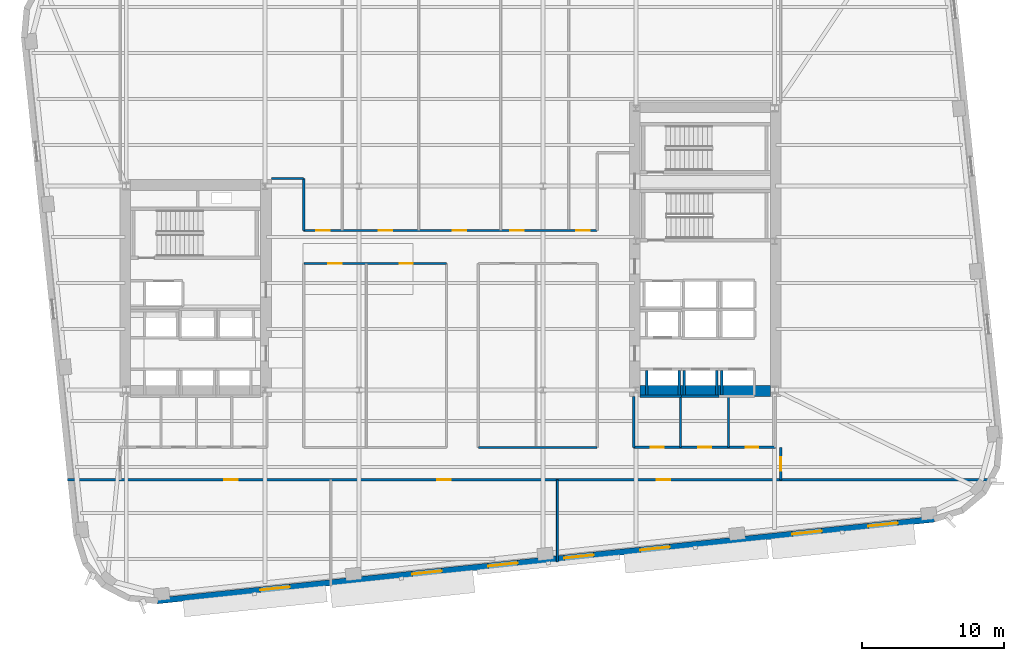
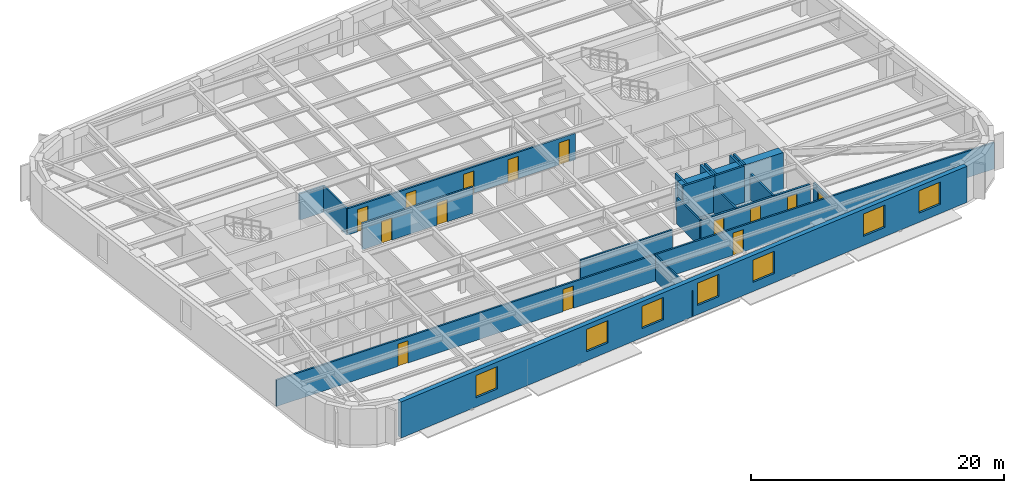
# One storey, part 5 of 15: 21 walls, 14 doors, 7 windows, 21 openings.
"""IFC4 building model written with IfcOpenShell, lengths in metres."""

import ifcopenshell
import ifcopenshell.guid

model = None  # the IFC model being written
_history = None  # IfcOwnerHistory: only IFC2X3 demands one
_inside = {}  # id of a spatial element -> (the spatial element, [elements in it])
_under = {}  # id of a project, library or spatial element -> (it, [spatial elements below it])
_declared = {}  # id of a project -> (the project, [libraries it declares])
_typed = {}  # id of a type object -> (the type object, [elements of that type])
_made_of = {}  # id of a material, layer set ... -> (it, [elements and type objects made of it])


def new_model(schema):
    """Start an empty IFC model of exactly this schema.

    Asked for "IFC4X3", IfcOpenShell would pick the latest addendum, in which some entities
    have other attributes; the version numbers below select the first issue.
    IFC2X3 requires an IfcOwnerHistory on every rooted entity: one is made here for all.
    """
    global model, _history
    if schema == "IFC4X3":
        model = ifcopenshell.file(schema_version=(4, 3, 0, 0))
    else:
        model = ifcopenshell.file(schema=schema)
    _inside.clear()
    _under.clear()
    _declared.clear()
    _typed.clear()
    _made_of.clear()
    _history = None
    if model.schema == "IFC2X3":
        org = make("IfcOrganization", Name="unknown")
        user = make(
            "IfcPersonAndOrganization",
            ThePerson=make("IfcPerson", FamilyName="unknown"),
            TheOrganization=org,
        )
        app = make(
            "IfcApplication",
            ApplicationDeveloper=org,
            Version="unknown",
            ApplicationFullName="unknown",
            ApplicationIdentifier="unknown",
        )
        _history = make(
            "IfcOwnerHistory",
            OwningUser=user,
            OwningApplication=app,
            ChangeAction="ADDED",
            CreationDate=0,
        )
    return model


def make(cls, **values):
    """One entity of the class cls with the attributes given. An attribute that is None is left unset."""
    return model.create_entity(
        cls, **{name: value for name, value in values.items() if value is not None}
    )


def rooted(cls, **values):
    """An entity with a GlobalId (a new one), such as an element, a storey or a relation."""
    return make(cls, GlobalId=ifcopenshell.guid.new(), OwnerHistory=_history, **values)


def si_unit(unit_type, name, prefix=None):
    """IfcSIUnit, for example si_unit("LENGTHUNIT", "METRE", prefix="MILLI")."""
    return make("IfcSIUnit", UnitType=unit_type, Prefix=prefix, Name=name)


def assignment(units):
    """IfcUnitAssignment: the units of a project."""
    return None if units is None else make("IfcUnitAssignment", Units=units)


def point(xyz):
    """IfcCartesianPoint."""
    return None if xyz is None else make("IfcCartesianPoint", Coordinates=xyz)


def direction(xyz):
    """IfcDirection."""
    return None if xyz is None else make("IfcDirection", DirectionRatios=xyz)


def frame(location, z_axis=None, x_axis=None):
    """IfcAxis2Placement3D, a coordinate frame: its origin and axes. An axis left out is left unset."""
    return make(
        "IfcAxis2Placement3D",
        Location=point(location),
        Axis=direction(z_axis),
        RefDirection=direction(x_axis),
    )


def frame_2d(location, x_axis=None):
    """IfcAxis2Placement2D, a coordinate frame in the plane: its origin and x axis."""
    return make(
        "IfcAxis2Placement2D", Location=point(location), RefDirection=direction(x_axis)
    )


def origin():
    """The frame at (0, 0, 0) with its axes left unset."""
    return frame((0.0, 0.0, 0.0))


def place(relative_to, where):
    """IfcLocalPlacement: puts the frame where relative to a parent placement (None: the world)."""
    return make(
        "IfcLocalPlacement", PlacementRelTo=relative_to, RelativePlacement=where
    )


def context(
    kind, dimensions, precision=None, world=None, true_north=None, identifier=None
):
    """IfcGeometricRepresentationContext, for example the 3D "Model" context."""
    return make(
        "IfcGeometricRepresentationContext",
        ContextIdentifier=identifier,
        ContextType=kind,
        CoordinateSpaceDimension=dimensions,
        Precision=precision,
        WorldCoordinateSystem=world,
        TrueNorth=true_north,
    )


def subcontext(parent, identifier, kind, view, scale=None):
    """IfcGeometricRepresentationSubContext, for example "Body" below "Model"."""
    return make(
        "IfcGeometricRepresentationSubContext",
        ContextIdentifier=identifier,
        ContextType=kind,
        ParentContext=parent,
        TargetScale=scale,
        TargetView=view,
    )


def project(units=None, contexts=None):
    """IfcProject with its units and contexts."""
    return rooted(
        "IfcProject",
        Name="project",
        RepresentationContexts=contexts,
        UnitsInContext=assignment(units),
    )


def spatial(cls, under=None, at=None, **own):
    """A site, building, storey or space (cls), placed at a placement, below another one or the project."""
    s = rooted(cls, ObjectPlacement=at, **own)
    if under is not None:
        _under.setdefault(under.id(), (under, []))[1].append(s)
    return s


def profile(cls, at=None, kind="AREA", **sizes):
    """A parametric profile (cls). Its sizes go by their IFC names, for example OverallWidth=200.0."""
    return make(cls, ProfileType=kind, Position=at, **sizes)


def rectangle(**sizes):
    """IfcRectangleProfileDef."""
    return profile("IfcRectangleProfileDef", **sizes)


def extrude(swept, where, along, depth):
    """IfcExtrudedAreaSolid: the profile swept, set in the frame where, extruded along a direction by depth."""
    return make(
        "IfcExtrudedAreaSolid",
        SweptArea=swept,
        Position=where,
        ExtrudedDirection=direction(along),
        Depth=depth,
    )


def shape(context_of_items, identifier, shape_type, items):
    """IfcShapeRepresentation: the items that make up one representation, for example the "Body"."""
    return make(
        "IfcShapeRepresentation",
        ContextOfItems=context_of_items,
        RepresentationIdentifier=identifier,
        RepresentationType=shape_type,
        Items=items,
    )


def material(Name=None, Category=None):
    """IfcMaterial."""
    return make("IfcMaterial", Name=Name, Category=Category)


def layer(
    of_material, thickness, ventilated=None, Name=None, Category=None, Priority=None
):
    """IfcMaterialLayer: one layer of a wall or slab, of a material (None: an air gap)."""
    return make(
        "IfcMaterialLayer",
        Material=of_material,
        LayerThickness=thickness,
        IsVentilated=ventilated,
        Name=Name,
        Category=Category,
        Priority=Priority,
    )


def layer_set(layers, Name=None):
    """IfcMaterialLayerSet."""
    return make("IfcMaterialLayerSet", MaterialLayers=layers, LayerSetName=Name)


def made_of(thing, what):
    """Note that an element or type object is made of a material, layer set ...; save() writes the relation."""
    if what is not None:
        _made_of.setdefault(what.id(), (what, []))[1].append(thing)
    return thing


def type_object(cls, material=None, **own):
    """A type object (cls), such as IfcWallType, which elements share."""
    return made_of(rooted(cls, **own), material)


def element(
    cls,
    number,
    at=None,
    inside=None,
    cuts=None,
    type_object=None,
    material=None,
    context=None,
    identifier="Body",
    shape_type=None,
    held_by="IfcProductDefinitionShape",
    body=None,
    shapes=None,
    **own,
):
    """One element of the class cls, such as IfcWall. Its Tag is "e" and its number.

    at: its placement. inside: the storey or other place that contains it. cuts: it is an
    opening in that element (IfcRelVoidsElement). A single representation is given by context,
    identifier, shape_type and body (its items); several are given by shapes. held_by: the class
    of the entity that holds the representations. save() writes the other relations.
    """
    e = rooted(cls, Tag="e%d" % number, ObjectPlacement=at, **own)
    if body is not None:
        shapes = [shape(context, identifier, shape_type, body)]
    if shapes is not None:
        e.Representation = make(held_by, Representations=shapes)
    if inside is not None:
        _inside.setdefault(inside.id(), (inside, []))[1].append(e)
    if cuts is not None:
        rooted(
            "IfcRelVoidsElement", RelatingBuildingElement=cuts, RelatedOpeningElement=e
        )
    if type_object is not None:
        _typed.setdefault(type_object.id(), (type_object, []))[1].append(e)
    return made_of(e, material)


def fill(opening, filler):
    """IfcRelFillsElement: the door or window that sits in an opening."""
    return rooted(
        "IfcRelFillsElement",
        RelatingOpeningElement=opening,
        RelatedBuildingElement=filler,
    )


def aggregate(whole, parts):
    """IfcRelAggregates: a whole, such as a stair, and the parts it consists of."""
    return rooted("IfcRelAggregates", RelatingObject=whole, RelatedObjects=parts)


def save(model, path):
    """Write the relations noted so far, then the file.

    IfcRelAggregates (storeys below a building ...), IfcRelContainedInSpatialStructure (elements
    in a storey), IfcRelDefinesByType, IfcRelAssociatesMaterial and IfcRelDeclares: one each for
    every whole, place, type object, material and project.
    """
    for whole, parts in _under.values():
        aggregate(whole, parts)
    for where, things in _inside.values():
        rooted(
            "IfcRelContainedInSpatialStructure",
            RelatedElements=things,
            RelatingStructure=where,
        )
    for kind, things in _typed.values():
        rooted("IfcRelDefinesByType", RelatedObjects=things, RelatingType=kind)
    for what, things in _made_of.values():
        rooted("IfcRelAssociatesMaterial", RelatedObjects=things, RelatingMaterial=what)
    for by, libraries in _declared.values():
        rooted("IfcRelDeclares", RelatingContext=by, RelatedDefinitions=libraries)
    model.write(path)


model = new_model("IFC4")

# Units and contexts
model_context = context("Model", 3, precision=1e-05, world=origin(), true_north=direction((0.0, 1.0)))
body_context = subcontext(model_context, "Body", "Model", "MODEL_VIEW")
ifc_project = project(units=[si_unit("LENGTHUNIT", "METRE"), si_unit("AREAUNIT", "SQUARE_METRE"), si_unit("VOLUMEUNIT", "CUBIC_METRE"), si_unit("PLANEANGLEUNIT", "RADIAN"), si_unit("MASSUNIT", "GRAM", prefix="KILO")], contexts=[model_context])

# Site, building, storey
site_placement = place(None, origin())
site = spatial("IfcSite", under=ifc_project, at=site_placement, CompositionType="ELEMENT")
building_placement = place(site_placement, origin())
building = spatial("IfcBuilding", under=site, at=building_placement, Name="Kolvaren Arena Tower", CompositionType="ELEMENT")
storey_placement = place(building_placement, frame((0.0, 0.0, 107.199951171875)))
storey = spatial("IfcBuildingStorey", under=building, at=storey_placement, Name="L24", CompositionType="ELEMENT", Elevation=107.199951171875)

# Wall, openings, doors
ifc_material_1 = material(Name="Gypsum board acoustic assembly", Category="gypsum")
ifc_layer_1 = layer(ifc_material_1, 0.159912109375)
ifc_layer_set_1 = layer_set([ifc_layer_1], Name="Gypsum board acoustic assembly")
wall_type_1 = type_object("IfcWallType", Name="CORR-160", PredefinedType="PARTITIONING", material=ifc_layer_set_1)
wall_1_placement = place(storey_placement, frame((10.41552734375, 13.10009765625, 0.0), z_axis=(0.0, 0.0, 1.0), x_axis=(1.0, 0.0, 0.0)))
wall_1 = element("IfcWall", 1, at=wall_1_placement, inside=storey, type_object=wall_type_1, Name="Interior Partition Wall (L24)", PredefinedType="PARTITIONING", context=body_context, shape_type="SweptSolid", body=[
    extrude(rectangle(XDim=65.414794921875, YDim=0.159912109375, at=frame_2d((32.70751953125, 0.0))), origin(), (0.0, 0.0, 1.0), 2.5400390625),
])
opening_1_placement = place(wall_1_placement, frame((11.0595703125, 0.0, 0.0)))
opening_1 = element("IfcOpeningElement", 2, at=opening_1_placement, cuts=wall_1, Name="Opening D05", PredefinedType="OPENING", context=body_context, shape_type="SweptSolid", body=[
    extrude(rectangle(XDim=0.949951171875, YDim=2.14990234375, at=frame_2d((0.47509765625, 1.074951171875))), frame((0.0, 0.08984375, 0.0), z_axis=(0.0, -1.0, 0.0), x_axis=(1.0, 0.0, 0.0)), (0.0, 0.0, 1.0), 0.179931640625),
])
opening_2_placement = place(wall_1_placement, frame((26.109619140625, 0.0, 0.0)))
opening_2 = element("IfcOpeningElement", 3, at=opening_2_placement, cuts=wall_1, Name="Opening D05", PredefinedType="OPENING", context=body_context, shape_type="SweptSolid", body=[
    extrude(rectangle(XDim=0.949951171875, YDim=2.14990234375, at=frame_2d((0.47509765625, 1.074951171875))), frame((0.0, 0.08984375, 0.0), z_axis=(0.0, -1.0, 0.0), x_axis=(1.0, 0.0, 0.0)), (0.0, 0.0, 1.0), 0.179931640625),
])
opening_3_placement = place(wall_1_placement, frame((41.609619140625, 0.0, 0.0)))
opening_3 = element("IfcOpeningElement", 4, at=opening_3_placement, cuts=wall_1, Name="Opening D05", PredefinedType="OPENING", context=body_context, shape_type="SweptSolid", body=[
    extrude(rectangle(XDim=0.949951171875, YDim=2.14990234375, at=frame_2d((0.47509765625, 1.074951171875))), frame((0.0, 0.08984375, 0.0), z_axis=(0.0, -1.0, 0.0), x_axis=(1.0, 0.0, 0.0)), (0.0, 0.0, 1.0), 0.179931640625),
])
ifc_material_2 = material(Name="Solid-core oak acoustic office door", Category="wood")
door_type_1 = type_object("IfcDoorType", Name="DOOR-OF-095", OperationType="NOTDEFINED", PredefinedType="DOOR", material=ifc_material_2)
door_1_placement = place(opening_1_placement, origin())
door_1 = element("IfcDoor", 5, at=door_1_placement, inside=storey, type_object=door_type_1, Name="Tenant Reception Area Door (L24)", OperationType="SINGLE_SWING_RIGHT", OverallHeight=2.14990234375, OverallWidth=0.949951171875, PredefinedType="DOOR", context=body_context, shape_type="SweptSolid", body=[
    extrude(rectangle(XDim=0.949951171875, YDim=2.14990234375, at=frame_2d((0.47509765625, 1.074951171875))), frame((0.0, 0.02490234375, 0.0), z_axis=(0.0, -1.0, 0.0), x_axis=(1.0, 0.0, 0.0)), (0.0, 0.0, 1.0), 0.050048828125),
])
fill(opening_1, door_1)
door_2_placement = place(opening_2_placement, origin())
door_2 = element("IfcDoor", 6, at=door_2_placement, inside=storey, type_object=door_type_1, Name="Executive Office Door (L24)", OperationType="SINGLE_SWING_LEFT", OverallHeight=2.14990234375, OverallWidth=0.949951171875, PredefinedType="DOOR", context=body_context, shape_type="SweptSolid", body=[
    extrude(rectangle(XDim=0.949951171875, YDim=2.14990234375, at=frame_2d((0.47509765625, 1.074951171875))), frame((0.0, 0.02490234375, 0.0), z_axis=(0.0, -1.0, 0.0), x_axis=(1.0, 0.0, 0.0)), (0.0, 0.0, 1.0), 0.050048828125),
])
fill(opening_2, door_2)
door_3_placement = place(opening_3_placement, origin())
door_3 = element("IfcDoor", 7, at=door_3_placement, inside=storey, type_object=door_type_1, Name="Wellness Room Door (L24)", OperationType="SINGLE_SWING_RIGHT", OverallHeight=2.14990234375, OverallWidth=0.949951171875, PredefinedType="DOOR", context=body_context, shape_type="SweptSolid", body=[
    extrude(rectangle(XDim=0.949951171875, YDim=2.14990234375, at=frame_2d((0.47509765625, 1.074951171875))), frame((0.0, 0.02490234375, 0.0), z_axis=(0.0, -1.0, 0.0), x_axis=(1.0, 0.0, 0.0)), (0.0, 0.0, 1.0), 0.050048828125),
])
fill(opening_3, door_3)

wall_2_placement = place(storey_placement, frame((27.080078125, 30.719970703125, 0.0), z_axis=(0.0, 0.0, 1.0), x_axis=(1.0, 0.0, 0.0)))
wall_2 = element("IfcWall", 8, at=wall_2_placement, inside=storey, type_object=wall_type_1, Name="Interior Partition Wall (L24)", PredefinedType="PARTITIONING", context=body_context, shape_type="SweptSolid", body=[
    extrude(rectangle(XDim=20.739990234375, YDim=0.159912109375, at=frame_2d((10.3701171875, 0.0))), origin(), (0.0, 0.0, 1.0), 2.5400390625),
])
opening_4_placement = place(wall_2_placement, frame((0.89501953125, 0.0, 0.0)))
opening_4 = element("IfcOpeningElement", 9, at=opening_4_placement, cuts=wall_2, Name="Opening D05", PredefinedType="OPENING", context=body_context, shape_type="SweptSolid", body=[
    extrude(rectangle(XDim=0.949951171875, YDim=2.14990234375, at=frame_2d((0.47509765625, 1.074951171875))), frame((0.0, 0.08984375, 0.0), z_axis=(0.0, -1.0, 0.0), x_axis=(1.0, 0.0, 0.0)), (0.0, 0.0, 1.0), 0.179931640625),
])
opening_5_placement = place(wall_2_placement, frame((5.294921875, 0.0, 0.0)))
opening_5 = element("IfcOpeningElement", 10, at=opening_5_placement, cuts=wall_2, Name="Opening D05", PredefinedType="OPENING", context=body_context, shape_type="SweptSolid", body=[
    extrude(rectangle(XDim=0.949951171875, YDim=2.14990234375, at=frame_2d((0.47509765625, 1.074951171875))), frame((0.0, 0.08984375, 0.0), z_axis=(0.0, -1.0, 0.0), x_axis=(1.0, 0.0, 0.0)), (0.0, 0.0, 1.0), 0.179931640625),
])
opening_6_placement = place(wall_2_placement, frame((10.544921875, 0.0, 0.0)))
opening_6 = element("IfcOpeningElement", 11, at=opening_6_placement, cuts=wall_2, Name="Opening D05", PredefinedType="OPENING", context=body_context, shape_type="SweptSolid", body=[
    extrude(rectangle(XDim=0.949951171875, YDim=2.14990234375, at=frame_2d((0.47509765625, 1.074951171875))), frame((0.0, 0.08984375, 0.0), z_axis=(0.0, -1.0, 0.0), x_axis=(1.0, 0.0, 0.0)), (0.0, 0.0, 1.0), 0.179931640625),
])
opening_7_placement = place(wall_2_placement, frame((14.594970703125, 0.0, 0.0)))
opening_7 = element("IfcOpeningElement", 12, at=opening_7_placement, cuts=wall_2, Name="Opening D05", PredefinedType="OPENING", context=body_context, shape_type="SweptSolid", body=[
    extrude(rectangle(XDim=0.949951171875, YDim=2.14990234375, at=frame_2d((0.47509765625, 1.074951171875))), frame((0.0, 0.08984375, 0.0), z_axis=(0.0, -1.0, 0.0), x_axis=(1.0, 0.0, 0.0)), (0.0, 0.0, 1.0), 0.179931640625),
])
opening_8_placement = place(wall_2_placement, frame((19.2451171875, 0.0, 0.0)))
opening_8 = element("IfcOpeningElement", 13, at=opening_8_placement, cuts=wall_2, Name="Opening D05", PredefinedType="OPENING", context=body_context, shape_type="SweptSolid", body=[
    extrude(rectangle(XDim=0.949951171875, YDim=2.14990234375, at=frame_2d((0.47509765625, 1.074951171875))), frame((0.0, 0.08984375, 0.0), z_axis=(0.0, -1.0, 0.0), x_axis=(1.0, 0.0, 0.0)), (0.0, 0.0, 1.0), 0.179931640625),
])
door_4_placement = place(opening_4_placement, origin())
door_4 = element("IfcDoor", 14, at=door_4_placement, inside=storey, type_object=door_type_1, Name="Corporate Project Office Door (L24)", OperationType="SINGLE_SWING_LEFT", OverallHeight=2.14990234375, OverallWidth=0.949951171875, PredefinedType="DOOR", context=body_context, shape_type="SweptSolid", body=[
    extrude(rectangle(XDim=0.949951171875, YDim=2.14990234375, at=frame_2d((0.47509765625, 1.074951171875))), frame((0.0, 0.02490234375, 0.0), z_axis=(0.0, -1.0, 0.0), x_axis=(1.0, 0.0, 0.0)), (0.0, 0.0, 1.0), 0.050048828125),
])
fill(opening_4, door_4)
door_5_placement = place(opening_5_placement, origin())
door_5 = element("IfcDoor", 15, at=door_5_placement, inside=storey, type_object=door_type_1, Name="Breakout Pantry and Kitchen Door (L24)", OperationType="SINGLE_SWING_RIGHT", OverallHeight=2.14990234375, OverallWidth=0.949951171875, PredefinedType="DOOR", context=body_context, shape_type="SweptSolid", body=[
    extrude(rectangle(XDim=0.949951171875, YDim=2.14990234375, at=frame_2d((0.47509765625, 1.074951171875))), frame((0.0, 0.02490234375, 0.0), z_axis=(0.0, -1.0, 0.0), x_axis=(1.0, 0.0, 0.0)), (0.0, 0.0, 1.0), 0.050048828125),
])
fill(opening_5, door_5)
door_6_placement = place(opening_6_placement, origin())
door_6 = element("IfcDoor", 16, at=door_6_placement, inside=storey, type_object=door_type_1, Name="Open Plan Office Door (L24)", OperationType="SINGLE_SWING_LEFT", OverallHeight=2.14990234375, OverallWidth=0.949951171875, PredefinedType="DOOR", context=body_context, shape_type="SweptSolid", body=[
    extrude(rectangle(XDim=0.949951171875, YDim=2.14990234375, at=frame_2d((0.47509765625, 1.074951171875))), frame((0.0, 0.02490234375, 0.0), z_axis=(0.0, -1.0, 0.0), x_axis=(1.0, 0.0, 0.0)), (0.0, 0.0, 1.0), 0.050048828125),
])
fill(opening_6, door_6)
door_7_placement = place(opening_7_placement, origin())
door_7 = element("IfcDoor", 17, at=door_7_placement, inside=storey, type_object=door_type_1, Name="Tenant Reception Area Door (L24)", OperationType="SINGLE_SWING_RIGHT", OverallHeight=2.14990234375, OverallWidth=0.949951171875, PredefinedType="DOOR", context=body_context, shape_type="SweptSolid", body=[
    extrude(rectangle(XDim=0.949951171875, YDim=2.14990234375, at=frame_2d((0.47509765625, 1.074951171875))), frame((0.0, 0.02490234375, 0.0), z_axis=(0.0, -1.0, 0.0), x_axis=(1.0, 0.0, 0.0)), (0.0, 0.0, 1.0), 0.050048828125),
])
fill(opening_7, door_7)
door_8_placement = place(opening_8_placement, origin())
door_8 = element("IfcDoor", 18, at=door_8_placement, inside=storey, type_object=door_type_1, Name="Executive Office Door (L24)", OperationType="SINGLE_SWING_LEFT", OverallHeight=2.14990234375, OverallWidth=0.949951171875, PredefinedType="DOOR", context=body_context, shape_type="SweptSolid", body=[
    extrude(rectangle(XDim=0.949951171875, YDim=2.14990234375, at=frame_2d((0.47509765625, 1.074951171875))), frame((0.0, 0.02490234375, 0.0), z_axis=(0.0, -1.0, 0.0), x_axis=(1.0, 0.0, 0.0)), (0.0, 0.0, 1.0), 0.050048828125),
])
fill(opening_8, door_8)

# Walls
wall_3_placement = place(storey_placement, frame((27.080078125, 30.719970703125, 0.0), z_axis=(0.0, 0.0, 1.0), x_axis=(0.0, 1.0, 0.0)))
element("IfcWall", 19, at=wall_3_placement, inside=storey, type_object=wall_type_1, Name="Interior Partition Wall (L24)", PredefinedType="PARTITIONING", context=body_context, shape_type="SweptSolid", body=[
    extrude(rectangle(XDim=3.659912109375, YDim=0.159912109375, at=frame_2d((1.830078125, 0.0))), origin(), (0.0, 0.0, 1.0), 2.5400390625),
])
wall_4_placement = place(storey_placement, frame((24.820068359375, 34.3798828125, 0.0), z_axis=(0.0, 0.0, 1.0), x_axis=(1.0, 0.0, 0.0)))
element("IfcWall", 20, at=wall_4_placement, inside=storey, type_object=wall_type_1, Name="Interior Partition Wall (L24)", PredefinedType="PARTITIONING", context=body_context, shape_type="SweptSolid", body=[
    extrude(rectangle(XDim=2.260009765625, YDim=0.159912109375, at=frame_2d((1.1298828125, 0.0))), origin(), (0.0, 0.0, 1.0), 2.5400390625),
])

# Wall, openings, doors
wall_5_placement = place(storey_placement, frame((27.10009765625, 28.3798828125, 0.0), z_axis=(0.0, 0.0, 1.0), x_axis=(1.0, 0.0, 0.0)))
wall_5 = element("IfcWall", 21, at=wall_5_placement, inside=storey, type_object=wall_type_1, Name="Interior Partition Wall (L24)", PredefinedType="PARTITIONING", context=body_context, shape_type="SweptSolid", body=[
    extrude(rectangle(XDim=10.059814453125, YDim=0.159912109375, at=frame_2d((5.02978515625, 0.0))), origin(), (0.0, 0.0, 1.0), 2.5400390625),
])
opening_9_placement = place(wall_5_placement, frame((1.72509765625, 0.0, 0.0)))
opening_9 = element("IfcOpeningElement", 22, at=opening_9_placement, cuts=wall_5, Name="Opening D05", PredefinedType="OPENING", context=body_context, shape_type="SweptSolid", body=[
    extrude(rectangle(XDim=0.949951171875, YDim=2.14990234375, at=frame_2d((0.47509765625, 1.074951171875))), frame((0.0, 0.08984375, 0.0), z_axis=(0.0, -1.0, 0.0), x_axis=(1.0, 0.0, 0.0)), (0.0, 0.0, 1.0), 0.179931640625),
])
opening_10_placement = place(wall_5_placement, frame((6.7548828125, 0.0, 0.0)))
opening_10 = element("IfcOpeningElement", 23, at=opening_10_placement, cuts=wall_5, Name="Opening D05", PredefinedType="OPENING", context=body_context, shape_type="SweptSolid", body=[
    extrude(rectangle(XDim=0.949951171875, YDim=2.14990234375, at=frame_2d((0.47509765625, 1.074951171875))), frame((0.0, 0.08984375, 0.0), z_axis=(0.0, -1.0, 0.0), x_axis=(1.0, 0.0, 0.0)), (0.0, 0.0, 1.0), 0.179931640625),
])
door_9_placement = place(opening_9_placement, origin())
door_9 = element("IfcDoor", 24, at=door_9_placement, inside=storey, type_object=door_type_1, Name="Wellness Room Door (L24)", OperationType="SINGLE_SWING_RIGHT", OverallHeight=2.14990234375, OverallWidth=0.949951171875, PredefinedType="DOOR", context=body_context, shape_type="SweptSolid", body=[
    extrude(rectangle(XDim=0.949951171875, YDim=2.14990234375, at=frame_2d((0.47509765625, 1.074951171875))), frame((0.0, 0.02490234375, 0.0), z_axis=(0.0, -1.0, 0.0), x_axis=(1.0, 0.0, 0.0)), (0.0, 0.0, 1.0), 0.050048828125),
])
fill(opening_9, door_9)
door_10_placement = place(opening_10_placement, origin())
door_10 = element("IfcDoor", 25, at=door_10_placement, inside=storey, type_object=door_type_1, Name="Boardroom Door (L24)", OperationType="SINGLE_SWING_LEFT", OverallHeight=2.14990234375, OverallWidth=0.949951171875, PredefinedType="DOOR", context=body_context, shape_type="SweptSolid", body=[
    extrude(rectangle(XDim=0.949951171875, YDim=2.14990234375, at=frame_2d((0.47509765625, 1.074951171875))), frame((0.0, 0.02490234375, 0.0), z_axis=(0.0, -1.0, 0.0), x_axis=(1.0, 0.0, 0.0)), (0.0, 0.0, 1.0), 0.050048828125),
])
fill(opening_10, door_10)

# Wall
wall_6_placement = place(storey_placement, frame((39.43994140625, 15.3798828125, 0.0), z_axis=(0.0, 0.0, 1.0), x_axis=(1.0, 0.0, 0.0)))
element("IfcWall", 26, at=wall_6_placement, inside=storey, type_object=wall_type_1, Name="Interior Partition Wall (L24)", PredefinedType="PARTITIONING", context=body_context, shape_type="SweptSolid", body=[
    extrude(rectangle(XDim=8.360107421875, YDim=0.159912109375, at=frame_2d((4.18017578125, 0.0))), origin(), (0.0, 0.0, 1.0), 2.5400390625),
])

# Wall, opening, door
wall_7_placement = place(storey_placement, frame((60.780029296875, 13.10009765625, 0.0), z_axis=(0.0, 0.0, 1.0), x_axis=(0.0, 1.0, 0.0)))
wall_7 = element("IfcWall", 27, at=wall_7_placement, inside=storey, type_object=wall_type_1, Name="Interior Partition Wall (L24)", PredefinedType="PARTITIONING", context=body_context, shape_type="SweptSolid", body=[
    extrude(rectangle(XDim=2.2998046875, YDim=0.159912109375, at=frame_2d((1.14990234375, 0.0))), origin(), (0.0, 0.0, 1.0), 2.5400390625),
])
opening_11_placement = place(wall_7_placement, frame((0.64990234375, 0.0, 0.0)))
opening_11 = element("IfcOpeningElement", 28, at=opening_11_placement, cuts=wall_7, Name="Opening D05", PredefinedType="OPENING", context=body_context, shape_type="SweptSolid", body=[
    extrude(rectangle(XDim=0.949951171875, YDim=2.14990234375, at=frame_2d((0.47509765625, 1.074951171875))), frame((0.0, 0.08984375, 0.0), z_axis=(0.0, -1.0, 0.0), x_axis=(1.0, 0.0, 0.0)), (0.0, 0.0, 1.0), 0.179931640625),
])
door_11_placement = place(opening_11_placement, origin())
door_11 = element("IfcDoor", 29, at=door_11_placement, inside=storey, type_object=door_type_1, Name="East Wing Studio Door (L24)", OperationType="SINGLE_SWING_RIGHT", OverallHeight=2.14990234375, OverallWidth=0.949951171875, PredefinedType="DOOR", context=body_context, shape_type="SweptSolid", body=[
    extrude(rectangle(XDim=0.949951171875, YDim=2.14990234375, at=frame_2d((0.47509765625, 1.074951171875))), frame((0.0, 0.02490234375, 0.0), z_axis=(0.0, -1.0, 0.0), x_axis=(1.0, 0.0, 0.0)), (0.0, 0.0, 1.0), 0.050048828125),
])
fill(opening_11, door_11)

# Wall
ifc_material_3 = material(Name="Concrete 70 MPa", Category="concrete")
ifc_layer_2 = layer(ifc_material_3, 0.75)
ifc_layer_set_2 = layer_set([ifc_layer_2], Name="Concrete 70 MPa")
wall_type_2 = type_object("IfcWallType", Name="CWALL-750", PredefinedType="SHEAR", material=ifc_layer_set_2)
wall_8_placement = place(storey_placement, frame((50.85009765625, 19.375, -0.27001953125), z_axis=(0.0, 0.0, 1.0), x_axis=(1.0, 0.0, 0.0)))
element("IfcWall", 30, at=wall_8_placement, inside=storey, type_object=wall_type_2, Name="Core Shear Wall EC-SOUTH (L24)", PredefinedType="SHEAR", context=body_context, shape_type="SweptSolid", body=[
    extrude(rectangle(XDim=9.199951171875, YDim=0.75, at=frame_2d((4.60009765625, 0.0))), origin(), (0.0, 0.0, 1.0), 3.75),
])

# Wall, openings, windows
ifc_material_4 = material(Name="Precast concrete C50/60", Category="concrete")
ifc_layer_3 = layer(ifc_material_4, 0.419921875)
ifc_layer_set_3 = layer_set([ifc_layer_3], Name="Precast concrete C50/60")
wall_type_3 = type_object("IfcWallType", Name="EXT-PIER1", PredefinedType="SOLIDWALL", material=ifc_layer_set_3)
wall_9_placement = place(storey_placement, frame((71.641357421875, 10.3203125, 0.0), z_axis=(0.0, 0.0, 1.0), x_axis=(-0.994521775062, -0.104529607897, 0.0)))
wall_9 = element("IfcWall", 31, at=wall_9_placement, inside=storey, type_object=wall_type_3, Name="Exterior Precast Masonry-Frame Wall (L24)", PredefinedType="SOLIDWALL", context=body_context, shape_type="SweptSolid", body=[
    extrude(rectangle(XDim=55.199951171875, YDim=0.419921875, at=frame_2d((27.60009765625, 0.0))), origin(), (0.0, 0.0, 1.0), 3.47998046875),
])
opening_12_placement = place(wall_9_placement, frame((2.60009765625, 0.0, 0.8798828125)))
opening_12 = element("IfcOpeningElement", 32, at=opening_12_placement, cuts=wall_9, Name="Opening W01", PredefinedType="OPENING", context=body_context, shape_type="SweptSolid", body=[
    extrude(rectangle(XDim=2.10009765625, YDim=2.14990234375, at=frame_2d((1.050048828125, 1.074951171875))), frame((0.0, 0.219970703125, 0.0), z_axis=(0.0, -1.0, 0.0), x_axis=(1.0, 0.0, 0.0)), (0.0, 0.0, 1.0), 0.43994140625),
])
opening_13_placement = place(wall_9_placement, frame((8.0, 0.0, 0.8798828125)))
opening_13 = element("IfcOpeningElement", 33, at=opening_13_placement, cuts=wall_9, Name="Opening W01", PredefinedType="OPENING", context=body_context, shape_type="SweptSolid", body=[
    extrude(rectangle(XDim=2.10009765625, YDim=2.14990234375, at=frame_2d((1.050048828125, 1.074951171875))), frame((0.0, 0.219970703125, 0.0), z_axis=(0.0, -1.0, 0.0), x_axis=(1.0, 0.0, 0.0)), (0.0, 0.0, 1.0), 0.43994140625),
])
opening_14_placement = place(wall_9_placement, frame((18.800048828125, 0.0, 0.8798828125)))
opening_14 = element("IfcOpeningElement", 34, at=opening_14_placement, cuts=wall_9, Name="Opening W01", PredefinedType="OPENING", context=body_context, shape_type="SweptSolid", body=[
    extrude(rectangle(XDim=2.10009765625, YDim=2.14990234375, at=frame_2d((1.050048828125, 1.074951171875))), frame((0.0, 0.219970703125, 0.0), z_axis=(0.0, -1.0, 0.0), x_axis=(1.0, 0.0, 0.0)), (0.0, 0.0, 1.0), 0.43994140625),
])
opening_15_placement = place(wall_9_placement, frame((24.199951171875, 0.0, 0.8798828125)))
opening_15 = element("IfcOpeningElement", 35, at=opening_15_placement, cuts=wall_9, Name="Opening W01", PredefinedType="OPENING", context=body_context, shape_type="SweptSolid", body=[
    extrude(rectangle(XDim=2.10009765625, YDim=2.14990234375, at=frame_2d((1.050048828125, 1.074951171875))), frame((0.0, 0.219970703125, 0.0), z_axis=(0.0, -1.0, 0.0), x_axis=(1.0, 0.0, 0.0)), (0.0, 0.0, 1.0), 0.43994140625),
])
opening_16_placement = place(wall_9_placement, frame((29.60009765625, 0.0, 0.8798828125)))
opening_16 = element("IfcOpeningElement", 36, at=opening_16_placement, cuts=wall_9, Name="Opening W01", PredefinedType="OPENING", context=body_context, shape_type="SweptSolid", body=[
    extrude(rectangle(XDim=2.10009765625, YDim=2.14990234375, at=frame_2d((1.050048828125, 1.074951171875))), frame((0.0, 0.219970703125, 0.0), z_axis=(0.0, -1.0, 0.0), x_axis=(1.0, 0.0, 0.0)), (0.0, 0.0, 1.0), 0.43994140625),
])
opening_17_placement = place(wall_9_placement, frame((35.0, 0.0, 0.8798828125)))
opening_17 = element("IfcOpeningElement", 37, at=opening_17_placement, cuts=wall_9, Name="Opening W01", PredefinedType="OPENING", context=body_context, shape_type="SweptSolid", body=[
    extrude(rectangle(XDim=2.10009765625, YDim=2.14990234375, at=frame_2d((1.050048828125, 1.074951171875))), frame((0.0, 0.219970703125, 0.0), z_axis=(0.0, -1.0, 0.0), x_axis=(1.0, 0.0, 0.0)), (0.0, 0.0, 1.0), 0.43994140625),
])
opening_18_placement = place(wall_9_placement, frame((45.800048828125, 0.0, 0.8798828125)))
opening_18 = element("IfcOpeningElement", 38, at=opening_18_placement, cuts=wall_9, Name="Opening W01", PredefinedType="OPENING", context=body_context, shape_type="SweptSolid", body=[
    extrude(rectangle(XDim=2.10009765625, YDim=2.14990234375, at=frame_2d((1.050048828125, 1.074951171875))), frame((0.0, 0.219970703125, 0.0), z_axis=(0.0, -1.0, 0.0), x_axis=(1.0, 0.0, 0.0)), (0.0, 0.0, 1.0), 0.43994140625),
])
ifc_material_5 = material(Name="Triple-glazed low-E aluminium window", Category="aluminium")
window_type = type_object("IfcWindowType", Name="WIN-OFF-A", PartitioningType="DOUBLE_PANEL_VERTICAL", PredefinedType="WINDOW", material=ifc_material_5)
window_1_placement = place(opening_12_placement, origin())
window_1 = element("IfcWindow", 39, at=window_1_placement, inside=storey, type_object=window_type, Name="Punched Precast-Pier Window (L24)", OverallHeight=2.14990234375, OverallWidth=2.10009765625, PartitioningType="DOUBLE_PANEL_VERTICAL", PredefinedType="WINDOW", context=body_context, shape_type="SweptSolid", body=[
    extrude(rectangle(XDim=2.10009765625, YDim=2.14990234375, at=frame_2d((1.050048828125, 1.074951171875))), frame((0.0, 0.030029296875, 0.0), z_axis=(0.0, -1.0, 0.0), x_axis=(1.0, 0.0, 0.0)), (0.0, 0.0, 1.0), 0.06005859375),
])
fill(opening_12, window_1)
window_2_placement = place(opening_13_placement, origin())
window_2 = element("IfcWindow", 40, at=window_2_placement, inside=storey, type_object=window_type, Name="Punched Precast-Pier Window (L24)", OverallHeight=2.14990234375, OverallWidth=2.10009765625, PartitioningType="DOUBLE_PANEL_VERTICAL", PredefinedType="WINDOW", context=body_context, shape_type="SweptSolid", body=[
    extrude(rectangle(XDim=2.10009765625, YDim=2.14990234375, at=frame_2d((1.050048828125, 1.074951171875))), frame((0.0, 0.030029296875, 0.0), z_axis=(0.0, -1.0, 0.0), x_axis=(1.0, 0.0, 0.0)), (0.0, 0.0, 1.0), 0.06005859375),
])
fill(opening_13, window_2)
window_3_placement = place(opening_14_placement, origin())
window_3 = element("IfcWindow", 41, at=window_3_placement, inside=storey, type_object=window_type, Name="Punched Precast-Pier Window (L24)", OverallHeight=2.14990234375, OverallWidth=2.10009765625, PartitioningType="DOUBLE_PANEL_VERTICAL", PredefinedType="WINDOW", context=body_context, shape_type="SweptSolid", body=[
    extrude(rectangle(XDim=2.10009765625, YDim=2.14990234375, at=frame_2d((1.050048828125, 1.074951171875))), frame((0.0, 0.030029296875, 0.0), z_axis=(0.0, -1.0, 0.0), x_axis=(1.0, 0.0, 0.0)), (0.0, 0.0, 1.0), 0.06005859375),
])
fill(opening_14, window_3)
window_4_placement = place(opening_15_placement, origin())
window_4 = element("IfcWindow", 42, at=window_4_placement, inside=storey, type_object=window_type, Name="Punched Precast-Pier Window (L24)", OverallHeight=2.14990234375, OverallWidth=2.10009765625, PartitioningType="DOUBLE_PANEL_VERTICAL", PredefinedType="WINDOW", context=body_context, shape_type="SweptSolid", body=[
    extrude(rectangle(XDim=2.10009765625, YDim=2.14990234375, at=frame_2d((1.050048828125, 1.074951171875))), frame((0.0, 0.030029296875, 0.0), z_axis=(0.0, -1.0, 0.0), x_axis=(1.0, 0.0, 0.0)), (0.0, 0.0, 1.0), 0.06005859375),
])
fill(opening_15, window_4)
window_5_placement = place(opening_16_placement, origin())
window_5 = element("IfcWindow", 43, at=window_5_placement, inside=storey, type_object=window_type, Name="Punched Precast-Pier Window (L24)", OverallHeight=2.14990234375, OverallWidth=2.10009765625, PartitioningType="DOUBLE_PANEL_VERTICAL", PredefinedType="WINDOW", context=body_context, shape_type="SweptSolid", body=[
    extrude(rectangle(XDim=2.10009765625, YDim=2.14990234375, at=frame_2d((1.050048828125, 1.074951171875))), frame((0.0, 0.030029296875, 0.0), z_axis=(0.0, -1.0, 0.0), x_axis=(1.0, 0.0, 0.0)), (0.0, 0.0, 1.0), 0.06005859375),
])
fill(opening_16, window_5)
window_6_placement = place(opening_17_placement, origin())
window_6 = element("IfcWindow", 44, at=window_6_placement, inside=storey, type_object=window_type, Name="Punched Precast-Pier Window (L24)", OverallHeight=2.14990234375, OverallWidth=2.10009765625, PartitioningType="DOUBLE_PANEL_VERTICAL", PredefinedType="WINDOW", context=body_context, shape_type="SweptSolid", body=[
    extrude(rectangle(XDim=2.10009765625, YDim=2.14990234375, at=frame_2d((1.050048828125, 1.074951171875))), frame((0.0, 0.030029296875, 0.0), z_axis=(0.0, -1.0, 0.0), x_axis=(1.0, 0.0, 0.0)), (0.0, 0.0, 1.0), 0.06005859375),
])
fill(opening_17, window_6)
window_7_placement = place(opening_18_placement, origin())
window_7 = element("IfcWindow", 45, at=window_7_placement, inside=storey, type_object=window_type, Name="Punched Precast-Pier Window (L24)", OverallHeight=2.14990234375, OverallWidth=2.10009765625, PartitioningType="DOUBLE_PANEL_VERTICAL", PredefinedType="WINDOW", context=body_context, shape_type="SweptSolid", body=[
    extrude(rectangle(XDim=2.10009765625, YDim=2.14990234375, at=frame_2d((1.050048828125, 1.074951171875))), frame((0.0, 0.030029296875, 0.0), z_axis=(0.0, -1.0, 0.0), x_axis=(1.0, 0.0, 0.0)), (0.0, 0.0, 1.0), 0.06005859375),
])
fill(opening_18, window_7)

# Walls
ifc_material_6 = material(Name="Gypsum board partition assembly", Category="gypsum")
ifc_layer_4 = layer(ifc_material_6, 0.135009765625)
ifc_layer_set_4 = layer_set([ifc_layer_4], Name="Gypsum board partition assembly")
wall_type_4 = type_object("IfcWallType", Name="PART-135", PredefinedType="PARTITIONING", material=ifc_layer_set_4)
wall_10_placement = place(storey_placement, frame((45.0, 7.30908203125, 0.0), z_axis=(0.0, 0.0, 1.0), x_axis=(0.0, 1.0, 0.0)))
element("IfcWall", 46, at=wall_10_placement, inside=storey, type_object=wall_type_4, Name="Interior Partition Wall (L24)", PredefinedType="PARTITIONING", context=body_context, shape_type="SweptSolid", body=[
    extrude(rectangle(XDim=5.791015625, YDim=0.135009765625, at=frame_2d((2.8955078125, 0.0))), origin(), (0.0, 0.0, 1.0), 2.5400390625),
])
ifc_material_7 = material(Name="Concrete 45 MPa", Category="concrete")
ifc_layer_5 = layer(ifc_material_7, 0.25)
ifc_layer_set_5 = layer_set([ifc_layer_5], Name="Concrete 45 MPa")
wall_type_5 = type_object("IfcWallType", Name="SHAFT-250", PredefinedType="SOLIDWALL", material=ifc_layer_set_5)
wall_11_placement = place(storey_placement, frame((50.85009765625, 18.9951171875, 0.0), z_axis=(0.0, 0.0, 1.0), x_axis=(1.0, 0.0, 0.0)))
element("IfcWall", 47, at=wall_11_placement, inside=storey, type_object=wall_type_5, Name="Core Shaft Wall (L24)", PredefinedType="SOLIDWALL", context=body_context, shape_type="SweptSolid", body=[
    extrude(rectangle(XDim=2.93994140625, YDim=0.179931640625, at=frame_2d((1.469970703125, 0.0))), origin(), (0.0, 0.0, 1.0), 3.47998046875),
])
for number, where, z_axis, x_axis, name in (
    (48, (51.304931640625, 19.0849609375, 0.0), (0.0, 0.0, 1.0), (0.0, 1.0, 0.0), "Core Shaft Wall (L24)"),
    (49, (53.614990234375, 19.0849609375, 0.0), (0.0, 0.0, 1.0), (0.0, 1.0, 0.0), "Core Shaft Wall (L24)"),
):
    element("IfcWall", number, at=place(storey_placement, frame(where, z_axis=z_axis, x_axis=x_axis)), inside=storey, type_object=wall_type_5, Name=name, PredefinedType="SOLIDWALL", context=body_context, shape_type="SweptSolid", body=[
        extrude(rectangle(XDim=1.72998046875, YDim=0.179931640625, at=frame_2d((0.864990234375, 0.0))), origin(), (0.0, 0.0, 1.0), 3.47998046875),
    ])
wall_12_placement = place(storey_placement, frame((53.7900390625, 18.9951171875, 0.0), z_axis=(0.0, 0.0, 1.0), x_axis=(1.0, 0.0, 0.0)))
element("IfcWall", 50, at=wall_12_placement, inside=storey, type_object=wall_type_5, Name="Core Shaft Wall (L24)", PredefinedType="SOLIDWALL", context=body_context, shape_type="SweptSolid", body=[
    extrude(rectangle(XDim=2.64990234375, YDim=0.179931640625, at=frame_2d((1.324951171875, 0.0))), origin(), (0.0, 0.0, 1.0), 3.47998046875),
])
for number, where, z_axis, x_axis, name in (
    (51, (53.965087890625, 19.0849609375, 0.0), (0.0, 0.0, 1.0), (0.0, 1.0, 0.0), "Core Shaft Wall (L24)"),
    (52, (56.27490234375, 19.0849609375, 0.0), (0.0, 0.0, 1.0), (0.0, 1.0, 0.0), "Core Shaft Wall (L24)"),
    (53, (56.60498046875, 19.0849609375, 0.0), (0.0, 0.0, 1.0), (0.0, 1.0, 0.0), "Core Shaft Wall (L24)"),
):
    element("IfcWall", number, at=place(storey_placement, frame(where, z_axis=z_axis, x_axis=x_axis)), inside=storey, type_object=wall_type_5, Name=name, PredefinedType="SOLIDWALL", context=body_context, shape_type="SweptSolid", body=[
        extrude(rectangle(XDim=1.72998046875, YDim=0.179931640625, at=frame_2d((0.864990234375, 0.0))), origin(), (0.0, 0.0, 1.0), 3.47998046875),
    ])

# Wall, openings, doors
wall_13_placement = place(storey_placement, frame((50.39990234375, 15.39990234375, 0.0), z_axis=(0.0, 0.0, 1.0), x_axis=(1.0, 0.0, 0.0)))
wall_13 = element("IfcWall", 54, at=wall_13_placement, inside=storey, type_object=wall_type_5, Name="Interior Partition Wall (L24)", PredefinedType="SOLIDWALL", context=body_context, shape_type="SweptSolid", body=[
    extrude(rectangle(XDim=10.0, YDim=0.179931640625, at=frame_2d((5.0, 0.0))), origin(), (0.0, 0.0, 1.0), 2.5400390625),
])
opening_19_placement = place(wall_13_placement, frame((1.18994140625, 0.0, 0.0)))
opening_19 = element("IfcOpeningElement", 55, at=opening_19_placement, cuts=wall_13, Name="Opening D07", PredefinedType="OPENING", context=body_context, shape_type="SweptSolid", body=[
    extrude(rectangle(XDim=0.919921875, YDim=2.10009765625, at=frame_2d((0.4599609375, 1.050048828125))), frame((0.0, 0.099853515625, 0.0), z_axis=(0.0, -1.0, 0.0), x_axis=(1.0, 0.0, 0.0)), (0.0, 0.0, 1.0), 0.199951171875),
])
opening_20_placement = place(wall_13_placement, frame((4.5400390625, 0.0, 0.0)))
opening_20 = element("IfcOpeningElement", 56, at=opening_20_placement, cuts=wall_13, Name="Opening D07", PredefinedType="OPENING", context=body_context, shape_type="SweptSolid", body=[
    extrude(rectangle(XDim=0.919921875, YDim=2.10009765625, at=frame_2d((0.4599609375, 1.050048828125))), frame((0.0, 0.099853515625, 0.0), z_axis=(0.0, -1.0, 0.0), x_axis=(1.0, 0.0, 0.0)), (0.0, 0.0, 1.0), 0.199951171875),
])
opening_21_placement = place(wall_13_placement, frame((7.919921875, 0.0, 0.0)))
opening_21 = element("IfcOpeningElement", 57, at=opening_21_placement, cuts=wall_13, Name="Opening D09", PredefinedType="OPENING", context=body_context, shape_type="SweptSolid", body=[
    extrude(rectangle(XDim=0.860107421875, YDim=2.050048828125, at=frame_2d((0.43017578125, 1.02490234375))), frame((0.0, 0.099853515625, 0.0), z_axis=(0.0, -1.0, 0.0), x_axis=(1.0, 0.0, 0.0)), (0.0, 0.0, 1.0), 0.199951171875),
])
ifc_material_8 = material(Name="Fire-rated steel riser access door", Category="steel")
door_type_2 = type_object("IfcDoorType", Name="DOOR-RS-086", OperationType="NOTDEFINED", PredefinedType="DOOR", material=ifc_material_8)
door_12_placement = place(opening_21_placement, origin())
door_12 = element("IfcDoor", 58, at=door_12_placement, inside=storey, type_object=door_type_2, Name="Mechanical Riser Closet Door (L24)", OperationType="SINGLE_SWING_RIGHT", OverallHeight=2.050048828125, OverallWidth=0.860107421875, PredefinedType="DOOR", context=body_context, shape_type="SweptSolid", body=[
    extrude(rectangle(XDim=0.860107421875, YDim=2.050048828125, at=frame_2d((0.43017578125, 1.02490234375))), frame((0.0, 0.02490234375, 0.0), z_axis=(0.0, -1.0, 0.0), x_axis=(1.0, 0.0, 0.0)), (0.0, 0.0, 1.0), 0.050048828125),
])
fill(opening_21, door_12)
ifc_material_9 = material(Name="Laminate universal washroom door", Category="wood")
door_type_3 = type_object("IfcDoorType", Name="DOOR-WC-092", OperationType="NOTDEFINED", PredefinedType="DOOR", material=ifc_material_9)
door_13_placement = place(opening_19_placement, origin())
door_13 = element("IfcDoor", 59, at=door_13_placement, inside=storey, type_object=door_type_3, Name="Staff Pantry Door (L24)", OperationType="SINGLE_SWING_RIGHT", OverallHeight=2.10009765625, OverallWidth=0.919921875, PredefinedType="DOOR", context=body_context, shape_type="SweptSolid", body=[
    extrude(rectangle(XDim=0.919921875, YDim=2.10009765625, at=frame_2d((0.4599609375, 1.050048828125))), frame((0.0, 0.02490234375, 0.0), z_axis=(0.0, -1.0, 0.0), x_axis=(1.0, 0.0, 0.0)), (0.0, 0.0, 1.0), 0.050048828125),
])
fill(opening_19, door_13)
door_14_placement = place(opening_20_placement, origin())
door_14 = element("IfcDoor", 60, at=door_14_placement, inside=storey, type_object=door_type_3, Name="Gender-Neutral Washroom Door (L24)", OperationType="SINGLE_SWING_LEFT", OverallHeight=2.10009765625, OverallWidth=0.919921875, PredefinedType="DOOR", context=body_context, shape_type="SweptSolid", body=[
    extrude(rectangle(XDim=0.919921875, YDim=2.10009765625, at=frame_2d((0.4599609375, 1.050048828125))), frame((0.0, 0.02490234375, 0.0), z_axis=(0.0, -1.0, 0.0), x_axis=(1.0, 0.0, 0.0)), (0.0, 0.0, 1.0), 0.050048828125),
])
fill(opening_20, door_14)

# Walls
ifc_material_10 = material(Name="Moisture-resistant gypsum assembly", Category="gypsum")
ifc_layer_6 = layer(ifc_material_10, 0.14990234375)
ifc_layer_set_6 = layer_set([ifc_layer_6], Name="Moisture-resistant gypsum assembly")
wall_type_6 = type_object("IfcWallType", Name="WETW-150", PredefinedType="PARTITIONING", material=ifc_layer_set_6)
for number, where, z_axis, x_axis, name in (
    (61, (53.699951171875, 15.39990234375, 0.0), (0.0, 0.0, 1.0), (0.0, 1.0, 0.0), "Interior Partition Wall (L24)"),
    (62, (57.10009765625, 15.39990234375, 0.0), (0.0, 0.0, 1.0), (0.0, 1.0, 0.0), "Interior Partition Wall (L24)"),
    (63, (50.39990234375, 15.39990234375, 0.0), (0.0, 0.0, 1.0), (0.0, 1.0, 0.0), "Interior Partition Wall (L24)"),
):
    element("IfcWall", number, at=place(storey_placement, frame(where, z_axis=z_axis, x_axis=x_axis)), inside=storey, type_object=wall_type_6, Name=name, PredefinedType="PARTITIONING", context=body_context, shape_type="SweptSolid", body=[
        extrude(rectangle(XDim=3.580078125, YDim=0.14990234375, at=frame_2d((1.7900390625, 0.0))), origin(), (0.0, 0.0, 1.0), 2.5400390625),
    ])

save(model, "model.ifc")
